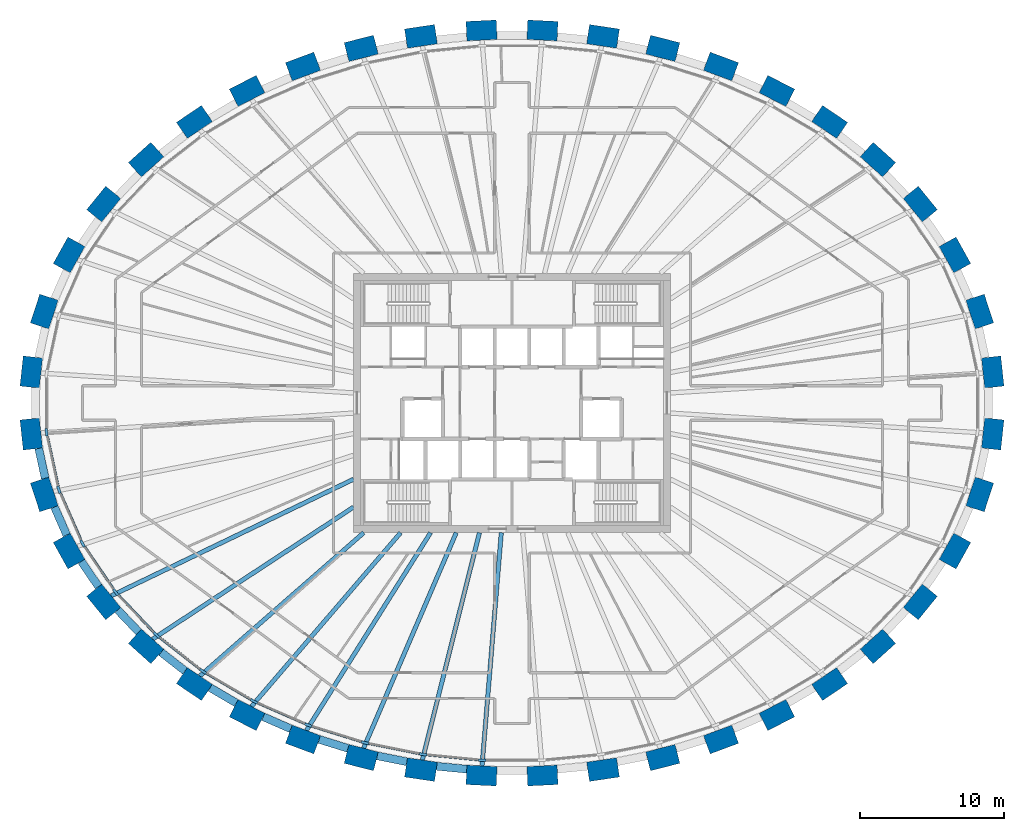
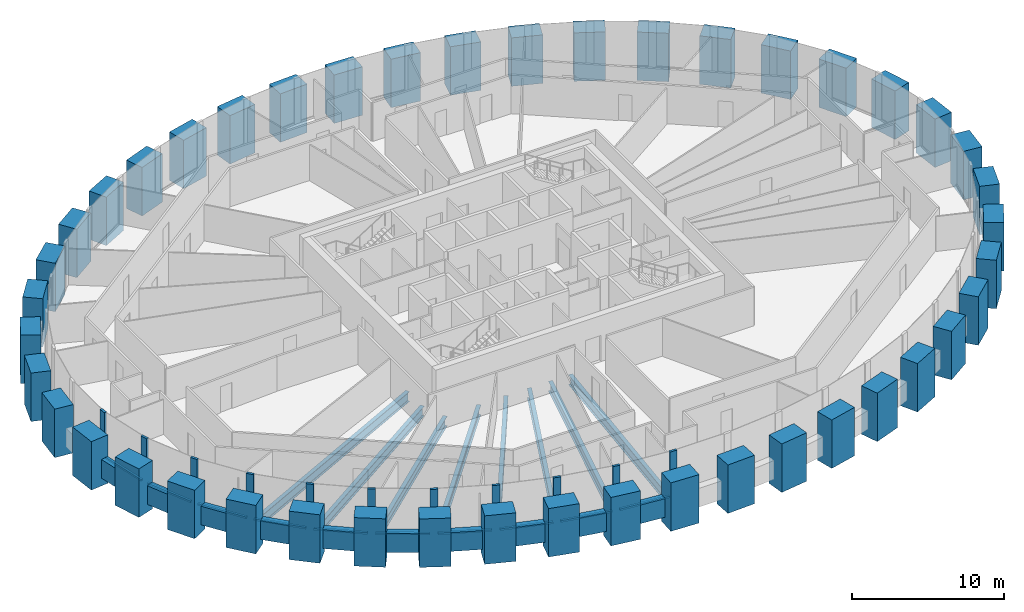
# One storey, part 1 of 12: 44 columns, 21 members, 18 beams, 1 element without a shape of its own.
"""IFC4 building model written with IfcOpenShell, lengths in metres."""

from ifc_helpers import new_model, si_unit, direction, frame, origin, origin_2d, place, context, subcontext, project, spatial, rectangle, i_section, extrude, source, transform, mapped, material, material_profile, profile_set, type_object, element, aggregate, save


model = new_model("IFC4")

# Units and contexts
model_context = context("Model", 3, precision=1e-05, world=origin(), true_north=direction((0.0, 1.0)))
body_context = subcontext(model_context, "Body", "Model", "MODEL_VIEW")
ifc_project = project(units=[si_unit("LENGTHUNIT", "METRE"), si_unit("AREAUNIT", "SQUARE_METRE"), si_unit("VOLUMEUNIT", "CUBIC_METRE"), si_unit("PLANEANGLEUNIT", "RADIAN"), si_unit("MASSUNIT", "GRAM", prefix="KILO")], contexts=[model_context])

# Site, building, storey
site_placement = place(None, origin())
site = spatial("IfcSite", under=ifc_project, at=site_placement, CompositionType="ELEMENT")
building_placement = place(site_placement, origin())
building = spatial("IfcBuilding", under=site, at=building_placement, Name="Embergate Tower", CompositionType="ELEMENT")
storey_placement = place(building_placement, frame((0.0, 0.0, 246.10009765625)))
storey = spatial("IfcBuildingStorey", under=building, at=storey_placement, Name="L56", CompositionType="ELEMENT", Elevation=246.10009765625)

# Columns
ifc_material_1 = material(Name="Concrete C60", Category="concrete")
ifc_material_profile_1 = material_profile(ifc_material_1, rectangle(XDim=1.35009765625, YDim=2.10009765625, at=origin_2d()), Name="RC 1350x2100")
ifc_profile_set_1 = profile_set([ifc_material_profile_1], Name="Concrete C60")
column_type = type_object("IfcColumnType", Name="Ring column RC 1350x2100 C60", PredefinedType="COLUMN", material=ifc_profile_set_1)
shared_shape_1 = source(origin(), body_context, "Body", "SweptSolid", [
    extrude(rectangle(XDim=1.35009765625, YDim=2.10009765625, at=origin_2d()), origin(), (0.0, 0.0, 1.0), 3.900146484375),
])
for number, where, z_axis, x_axis, name in (
    (1, (33.364013671875, 2.14892578125, -1.400146484375), (0.0, 0.0, 1.0), (0.99428589498, 0.106749983816, 0.0), "COL-L56-00"),
    (2, (32.4609375, 6.346923828125, -1.400146484375), (0.0, 0.0, 1.0), (0.950754033697, 0.309946394413, 0.0), "COL-L56-01"),
    (3, (30.739990234375, 10.27197265625, -1.400146484375), (0.0, 0.0, 1.0), (0.873500465855, 0.486823311018, 0.0), "COL-L56-02"),
    (4, (28.3369140625, 13.805908203125, -1.400146484375), (0.0, 0.0, 1.0), (0.775925311702, 0.630824786022, 0.0), "COL-L56-03"),
    (5, (25.39501953125, 16.889892578125, -1.400146484375), (0.0, 0.0, 1.0), (0.669208424634, 0.74307475021, 0.0), "COL-L56-04"),
    (6, (22.0439453125, 19.506103515625, -1.400146484375), (0.0, 0.0, 1.0), (0.560393279442, 0.828226643109, 0.0), "COL-L56-05"),
    (7, (18.385986328125, 21.656982421875, -1.400146484375), (0.0, 0.0, 1.0), (0.453010512651, 0.891505174089, 0.0), "COL-L56-06"),
    (8, (14.5048828125, 23.35400390625, -1.400146484375), (0.0, 0.0, 1.0), (0.348343015724, 0.93736713373, 0.0), "COL-L56-07"),
    (9, (10.465087890625, 24.612060546875, -1.400146484375), (0.0, 0.0, 1.0), (0.24650851817, 0.969140624713, 0.0), "COL-L56-08"),
    (10, (6.319091796875, 25.444091796875, -1.400146484375), (0.0, 0.0, 1.0), (0.146929011949, 0.989147039346, 0.0), "COL-L56-09"),
    (11, (2.113037109375, 25.85693359375, -1.400146484375), (0.0, 0.0, 1.0), (0.048814904854, 0.998807841912, 0.0), "COL-L56-10"),
    (12, (-2.113037109375, 25.85693359375, -1.400146484375), (0.0, 0.0, 1.0), (-0.048814904854, 0.998807841912, 0.0), "COL-L56-11"),
    (13, (-6.319091796875, 25.444091796875, -1.400146484375), (0.0, 0.0, 1.0), (-0.146929011949, 0.989147039346, 0.0), "COL-L56-12"),
    (14, (-10.465087890625, 24.612060546875, -1.400146484375), (0.0, 0.0, 1.0), (-0.24650851817, 0.969140624713, 0.0), "COL-L56-13"),
    (15, (-14.5048828125, 23.35400390625, -1.400146484375), (0.0, 0.0, 1.0), (-0.348343015724, 0.93736713373, 0.0), "COL-L56-14"),
    (16, (-18.385986328125, 21.656982421875, -1.400146484375), (0.0, 0.0, 1.0), (-0.453010512651, 0.891505174089, 0.0), "COL-L56-15"),
    (17, (-22.0439453125, 19.506103515625, -1.400146484375), (0.0, 0.0, 1.0), (-0.560393279442, 0.828226643109, 0.0), "COL-L56-16"),
    (18, (-25.39501953125, 16.889892578125, -1.400146484375), (0.0, 0.0, 1.0), (-0.669208424634, 0.74307475021, 0.0), "COL-L56-17"),
    (19, (-28.3369140625, 13.805908203125, -1.400146484375), (0.0, 0.0, 1.0), (-0.775925311702, 0.630824786022, 0.0), "COL-L56-18"),
    (20, (-30.739990234375, 10.27197265625, -1.400146484375), (0.0, 0.0, 1.0), (-0.873500465855, 0.486823311018, 0.0), "COL-L56-19"),
    (21, (-32.4609375, 6.346923828125, -1.400146484375), (0.0, 0.0, 1.0), (-0.950754033697, 0.309946394413, 0.0), "COL-L56-20"),
    (22, (-33.364013671875, 2.14892578125, -1.400146484375), (0.0, 0.0, 1.0), (-0.99428589498, 0.106749983816, 0.0), "COL-L56-21"),
    (23, (-33.364013671875, -2.14892578125, -1.400146484375), (0.0, 0.0, 1.0), (-0.99428589498, -0.106749983816, 0.0), "COL-L56-22"),
    (24, (-32.4609375, -6.346923828125, -1.400146484375), (0.0, 0.0, 1.0), (-0.950754033697, -0.309946394413, 0.0), "COL-L56-23"),
    (25, (-30.739990234375, -10.27197265625, -1.400146484375), (0.0, 0.0, 1.0), (-0.873500465855, -0.486823311018, 0.0), "COL-L56-24"),
    (26, (-28.3369140625, -13.805908203125, -1.400146484375), (0.0, 0.0, 1.0), (-0.775925311702, -0.630824786022, 0.0), "COL-L56-25"),
    (27, (-25.39501953125, -16.889892578125, -1.400146484375), (0.0, 0.0, 1.0), (-0.669208424634, -0.74307475021, 0.0), "COL-L56-26"),
    (28, (-22.0439453125, -19.506103515625, -1.400146484375), (0.0, 0.0, 1.0), (-0.560393279442, -0.828226643109, 0.0), "COL-L56-27"),
    (29, (-18.385986328125, -21.656982421875, -1.400146484375), (0.0, 0.0, 1.0), (-0.453010512651, -0.891505174089, 0.0), "COL-L56-28"),
    (30, (-14.5048828125, -23.35400390625, -1.400146484375), (0.0, 0.0, 1.0), (-0.348343015724, -0.93736713373, 0.0), "COL-L56-29"),
    (31, (-10.465087890625, -24.612060546875, -1.400146484375), (0.0, 0.0, 1.0), (-0.24650851817, -0.969140624713, 0.0), "COL-L56-30"),
    (32, (-6.319091796875, -25.444091796875, -1.400146484375), (0.0, 0.0, 1.0), (-0.146929011949, -0.989147039346, 0.0), "COL-L56-31"),
    (33, (-2.113037109375, -25.85693359375, -1.400146484375), (0.0, 0.0, 1.0), (-0.048814904854, -0.998807841912, 0.0), "COL-L56-32"),
    (34, (2.113037109375, -25.85693359375, -1.400146484375), (0.0, 0.0, 1.0), (0.048814904854, -0.998807841912, 0.0), "COL-L56-33"),
    (35, (6.319091796875, -25.444091796875, -1.400146484375), (0.0, 0.0, 1.0), (0.146929011949, -0.989147039346, 0.0), "COL-L56-34"),
    (36, (10.465087890625, -24.612060546875, -1.400146484375), (0.0, 0.0, 1.0), (0.24650851817, -0.969140624713, 0.0), "COL-L56-35"),
    (37, (14.5048828125, -23.35400390625, -1.400146484375), (0.0, 0.0, 1.0), (0.348343015724, -0.93736713373, 0.0), "COL-L56-36"),
    (38, (18.385986328125, -21.656982421875, -1.400146484375), (0.0, 0.0, 1.0), (0.453010512651, -0.891505174089, 0.0), "COL-L56-37"),
    (39, (22.0439453125, -19.506103515625, -1.400146484375), (0.0, 0.0, 1.0), (0.560393279442, -0.828226643109, 0.0), "COL-L56-38"),
    (40, (25.39501953125, -16.889892578125, -1.400146484375), (0.0, 0.0, 1.0), (0.669208424634, -0.74307475021, 0.0), "COL-L56-39"),
    (41, (28.3369140625, -13.805908203125, -1.400146484375), (0.0, 0.0, 1.0), (0.775925311702, -0.630824786022, 0.0), "COL-L56-40"),
    (42, (30.739990234375, -10.27197265625, -1.400146484375), (0.0, 0.0, 1.0), (0.873500465855, -0.486823311018, 0.0), "COL-L56-41"),
    (43, (32.4609375, -6.346923828125, -1.400146484375), (0.0, 0.0, 1.0), (0.950754033697, -0.309946394413, 0.0), "COL-L56-42"),
    (44, (33.364013671875, -2.14892578125, -1.400146484375), (0.0, 0.0, 1.0), (0.99428589498, -0.106749983816, 0.0), "COL-L56-43"),
):
    element("IfcColumn", number, at=place(storey_placement, frame(where, z_axis=z_axis, x_axis=x_axis)), inside=storey, type_object=column_type, Name=name, PredefinedType="COLUMN", context=body_context, shape_type="MappedRepresentation", body=[
        mapped(shared_shape_1, transform((0.0, 0.0, 0.0))),
    ])

# Beams
ifc_material_profile_2 = material_profile(ifc_material_1, rectangle(XDim=0.550048828125, YDim=1.5, at=origin_2d()), Name="RC 550x1500")
ifc_profile_set_2 = profile_set([ifc_material_profile_2], Name="Concrete C60")
beam_type_1 = type_object("IfcBeamType", Name="Spandrel beam RC 550x1500 C60", PredefinedType="BEAM", material=ifc_profile_set_2)
shared_shape_2 = source(origin(), body_context, "Body", "SweptSolid", [
    extrude(rectangle(XDim=0.550048828125, YDim=1.5, at=origin_2d()), origin(), (0.0, 0.0, 1.0), 2.121337890625),
])
beam_1_placement = place(storey_placement, frame((-32.845947265625, -3.14892578125, 0.0), z_axis=(0.210259959119, -0.977645513257, 0.0), x_axis=(0.977645513257, 0.210259959119, 0.0)))
element("IfcBeam", 45, at=beam_1_placement, inside=storey, type_object=beam_type_1, Name="SPN-L56-22", PredefinedType="BEAM", context=body_context, shape_type="MappedRepresentation", body=[
    mapped(shared_shape_2, transform((0.0, 0.0, 0.0))),
])
shared_shape_3 = source(origin(), body_context, "Body", "SweptSolid", [
    extrude(rectangle(XDim=0.550048828125, YDim=1.5, at=origin_2d()), origin(), (0.0, 0.0, 1.0), 2.118408203125),
])
beam_2_placement = place(storey_placement, frame((-31.75390625, -7.220947265625, 0.0), z_axis=(0.401653016285, -0.915791927519, 0.0), x_axis=(0.915791927519, 0.401653016285, 0.0)))
element("IfcBeam", 46, at=beam_2_placement, inside=storey, type_object=beam_type_1, Name="SPN-L56-23", PredefinedType="BEAM", context=body_context, shape_type="MappedRepresentation", body=[
    mapped(shared_shape_3, transform((0.0, 0.0, 0.0))),
])
shared_shape_4 = source(origin(), body_context, "Body", "SweptSolid", [
    extrude(rectangle(XDim=0.550048828125, YDim=1.5, at=origin_2d()), origin(), (0.0, 0.0, 1.0), 2.113525390625),
])
beam_3_placement = place(storey_placement, frame((-29.885986328125, -10.998046875, 0.0), z_axis=(0.562088832066, -0.827076867569, 0.0), x_axis=(0.827076867569, 0.562088832066, 0.0)))
element("IfcBeam", 47, at=beam_3_placement, inside=storey, type_object=beam_type_1, Name="SPN-L56-24", PredefinedType="BEAM", context=body_context, shape_type="MappedRepresentation", body=[
    mapped(shared_shape_4, transform((0.0, 0.0, 0.0))),
])
shared_shape_5 = source(origin(), body_context, "Body", "SweptSolid", [
    extrude(rectangle(XDim=0.550048828125, YDim=1.5, at=origin_2d()), origin(), (0.0, 0.0, 1.0), 2.1064453125),
])
beam_4_placement = place(storey_placement, frame((-27.362060546875, -14.366943359375, 0.0), z_axis=(0.690280012813, -0.723542330421, 0.0), x_axis=(0.723542330421, 0.690280012813, 0.0)))
element("IfcBeam", 48, at=beam_4_placement, inside=storey, type_object=beam_type_1, Name="SPN-L56-25", PredefinedType="BEAM", context=body_context, shape_type="MappedRepresentation", body=[
    mapped(shared_shape_5, transform((0.0, 0.0, 0.0))),
])
shared_shape_6 = source(origin(), body_context, "Body", "SweptSolid", [
    extrude(rectangle(XDim=0.550048828125, YDim=1.5, at=origin_2d()), origin(), (0.0, 0.0, 1.0), 2.101806640625),
])
beam_5_placement = place(storey_placement, frame((-24.35205078125, -17.301025390625, 0.0), z_axis=(0.78838173926, -0.615186340227, 0.0), x_axis=(0.615186340227, 0.78838173926, 0.0)))
element("IfcBeam", 49, at=beam_5_placement, inside=storey, type_object=beam_type_1, Name="SPN-L56-26", PredefinedType="BEAM", context=body_context, shape_type="MappedRepresentation", body=[
    mapped(shared_shape_6, transform((0.0, 0.0, 0.0))),
])
shared_shape_7 = source(origin(), body_context, "Body", "SweptSolid", [
    extrude(rectangle(XDim=0.550048828125, YDim=1.5, at=origin_2d()), origin(), (0.0, 0.0, 1.0), 2.097412109375),
])
beam_6_placement = place(storey_placement, frame((-20.947021484375, -19.758056640625, 0.0), z_axis=(0.862059864985, -0.506806461267, 0.0), x_axis=(0.506806461267, 0.862059864985, 0.0)))
element("IfcBeam", 50, at=beam_6_placement, inside=storey, type_object=beam_type_1, Name="SPN-L56-27", PredefinedType="BEAM", context=body_context, shape_type="MappedRepresentation", body=[
    mapped(shared_shape_7, transform((0.0, 0.0, 0.0))),
])
shared_shape_8 = source(origin(), body_context, "Body", "SweptSolid", [
    extrude(rectangle(XDim=0.550048828125, YDim=1.5, at=origin_2d()), origin(), (0.0, 0.0, 1.0), 2.093994140625),
])
beam_7_placement = place(storey_placement, frame((-17.26904296875, -21.77587890625, 0.0), z_axis=(0.916403340616, -0.400256064674, 0.0), x_axis=(0.400256064674, 0.916403340616, 0.0)))
element("IfcBeam", 51, at=beam_7_placement, inside=storey, type_object=beam_type_1, Name="SPN-L56-28", PredefinedType="BEAM", context=body_context, shape_type="MappedRepresentation", body=[
    mapped(shared_shape_8, transform((0.0, 0.0, 0.0))),
])
shared_shape_9 = source(origin(), body_context, "Body", "SweptSolid", [
    extrude(rectangle(XDim=0.550048828125, YDim=1.5, at=origin_2d()), origin(), (0.0, 0.0, 1.0), 2.092529296875),
])
beam_8_placement = place(storey_placement, frame((-13.383056640625, -23.347900390625, 0.0), z_axis=(0.954794982035, -0.297265104378, 0.0), x_axis=(0.297265104378, 0.954794982035, 0.0)))
element("IfcBeam", 52, at=beam_8_placement, inside=storey, type_object=beam_type_1, Name="SPN-L56-29", PredefinedType="BEAM", context=body_context, shape_type="MappedRepresentation", body=[
    mapped(shared_shape_9, transform((0.0, 0.0, 0.0))),
])
shared_shape_10 = source(origin(), body_context, "Body", "SweptSolid", [
    extrude(rectangle(XDim=0.550048828125, YDim=1.5, at=origin_2d()), origin(), (0.0, 0.0, 1.0), 2.0908203125),
])
beam_9_placement = place(storey_placement, frame((-9.35009765625, -24.489990234375, 0.0), z_axis=(0.980499753095, -0.196520314929, 0.0), x_axis=(0.196520314929, 0.980499753095, 0.0)))
element("IfcBeam", 53, at=beam_9_placement, inside=storey, type_object=beam_type_1, Name="SPN-L56-30", PredefinedType="BEAM", context=body_context, shape_type="MappedRepresentation", body=[
    mapped(shared_shape_10, transform((0.0, 0.0, 0.0))),
])
shared_shape_11 = source(origin(), body_context, "Body", "SweptSolid", [
    extrude(rectangle(XDim=0.550048828125, YDim=1.5, at=origin_2d()), origin(), (0.0, 0.0, 1.0), 2.08984375),
])
beam_10_placement = place(storey_placement, frame((-5.222900390625, -25.2109375, 0.0), z_axis=(0.995219400888, -0.097664446431, 0.0), x_axis=(0.097664446431, 0.995219400888, 0.0)))
element("IfcBeam", 54, at=beam_10_placement, inside=storey, type_object=beam_type_1, Name="SPN-L56-31", PredefinedType="BEAM", context=body_context, shape_type="MappedRepresentation", body=[
    mapped(shared_shape_11, transform((0.0, 0.0, 0.0))),
])
ifc_material_2 = material(Name="Steel Q355B", Category="steel")
ifc_material_profile_3 = material_profile(ifc_material_2, i_section(OverallWidth=0.300048828125, OverallDepth=0.800048828125, WebThickness=0.013916015625, FlangeThickness=0.02587890625, FilletRadius=0.028076171875, at=origin_2d()), Name="HN 800x300x14x26")
ifc_profile_set_3 = profile_set([ifc_material_profile_3], Name="Steel Q355 grade B")
beam_type_2 = type_object("IfcBeamType", Name="Radial girder HN 800x300x14x26", PredefinedType="BEAM", material=ifc_profile_set_3)
shared_shape_12 = source(origin(), body_context, "Body", "SweptSolid", [
    extrude(i_section(OverallWidth=0.300048828125, OverallDepth=0.800048828125, WebThickness=0.013916015625, FlangeThickness=0.02587890625, FilletRadius=0.028076171875, at=origin_2d()), origin(), (0.0, 0.0, 1.0), 18.6572265625),
])
beam_11_placement = place(storey_placement, frame((-27.81298828125, -13.3798828125, -0.60009765625), z_axis=(0.901153541631, 0.433500051218, 0.0), x_axis=(-0.433500051218, 0.901153541631, 0.0)))
element("IfcBeam", 55, at=beam_11_placement, inside=storey, type_object=beam_type_2, Name="GIR-L56-25", PredefinedType="BEAM", context=body_context, shape_type="MappedRepresentation", body=[
    mapped(shared_shape_12, transform((0.0, 0.0, 0.0))),
])
shared_shape_13 = source(origin(), body_context, "Body", "SweptSolid", [
    extrude(i_section(OverallWidth=0.300048828125, OverallDepth=0.800048828125, WebThickness=0.013916015625, FlangeThickness=0.02587890625, FilletRadius=0.028076171875, at=origin_2d()), origin(), (0.0, 0.0, 1.0), 16.683349609375),
])
beam_12_placement = place(storey_placement, frame((-24.943115234375, -16.387939453125, -0.60009765625), z_axis=(0.835753065735, 0.549105466295, 0.0), x_axis=(-0.549105466295, 0.835753065735, 0.0)))
element("IfcBeam", 56, at=beam_12_placement, inside=storey, type_object=beam_type_2, Name="GIR-L56-26", PredefinedType="BEAM", context=body_context, shape_type="MappedRepresentation", body=[
    mapped(shared_shape_13, transform((0.0, 0.0, 0.0))),
])
shared_shape_14 = source(origin(), body_context, "Body", "SweptSolid", [
    extrude(i_section(OverallWidth=0.300048828125, OverallDepth=0.800048828125, WebThickness=0.013916015625, FlangeThickness=0.02587890625, FilletRadius=0.028076171875, at=origin_2d()), origin(), (0.0, 0.0, 1.0), 15.11083984375),
])
beam_13_placement = place(storey_placement, frame((-21.666015625, -18.947021484375, -0.60009765625), z_axis=(0.752776832469, 0.658275808836, 0.0), x_axis=(-0.658275808836, 0.752776832469, 0.0)))
element("IfcBeam", 57, at=beam_13_placement, inside=storey, type_object=beam_type_2, Name="GIR-L56-27", PredefinedType="BEAM", context=body_context, shape_type="MappedRepresentation", body=[
    mapped(shared_shape_14, transform((0.0, 0.0, 0.0))),
])
shared_shape_15 = source(origin(), body_context, "Body", "SweptSolid", [
    extrude(i_section(OverallWidth=0.300048828125, OverallDepth=0.800048828125, WebThickness=0.013916015625, FlangeThickness=0.02587890625, FilletRadius=0.028076171875, at=origin_2d()), origin(), (0.0, 0.0, 1.0), 15.889892578125),
])
beam_14_placement = place(storey_placement, frame((-18.080078125, -21.054931640625, -0.60009765625), z_axis=(0.651489554498, 0.75865760418, 0.0), x_axis=(-0.75865760418, 0.651489554498, 0.0)))
element("IfcBeam", 58, at=beam_14_placement, inside=storey, type_object=beam_type_2, Name="GIR-L56-28", PredefinedType="BEAM", context=body_context, shape_type="MappedRepresentation", body=[
    mapped(shared_shape_15, transform((0.0, 0.0, 0.0))),
])
shared_shape_16 = source(origin(), body_context, "Body", "SweptSolid", [
    extrude(i_section(OverallWidth=0.300048828125, OverallDepth=0.800048828125, WebThickness=0.013916015625, FlangeThickness=0.02587890625, FilletRadius=0.028076171875, at=origin_2d()), origin(), (0.0, 0.0, 1.0), 16.202880859375),
])
beam_15_placement = place(storey_placement, frame((-14.27001953125, -22.720947265625, -0.60009765625), z_axis=(0.531876197459, 0.84682212452, 0.0), x_axis=(-0.84682212452, 0.531876197459, 0.0)))
element("IfcBeam", 59, at=beam_15_placement, inside=storey, type_object=beam_type_2, Name="GIR-L56-29", PredefinedType="BEAM", context=body_context, shape_type="MappedRepresentation", body=[
    mapped(shared_shape_16, transform((0.0, 0.0, 0.0))),
])
shared_shape_17 = source(origin(), body_context, "Body", "SweptSolid", [
    extrude(i_section(OverallWidth=0.300048828125, OverallDepth=0.800048828125, WebThickness=0.013916015625, FlangeThickness=0.02587890625, FilletRadius=0.028076171875, at=origin_2d()), origin(), (0.0, 0.0, 1.0), 16.281494140625),
])
beam_16_placement = place(storey_placement, frame((-10.299072265625, -23.9580078125, -0.60009765625), z_axis=(0.394936126448, 0.918708580577, 0.0), x_axis=(-0.918708580577, 0.394936126448, 0.0)))
element("IfcBeam", 60, at=beam_16_placement, inside=storey, type_object=beam_type_2, Name="GIR-L56-30", PredefinedType="BEAM", context=body_context, shape_type="MappedRepresentation", body=[
    mapped(shared_shape_17, transform((0.0, 0.0, 0.0))),
])
shared_shape_18 = source(origin(), body_context, "Body", "SweptSolid", [
    extrude(i_section(OverallWidth=0.300048828125, OverallDepth=0.800048828125, WebThickness=0.013916015625, FlangeThickness=0.02587890625, FilletRadius=0.028076171875, at=origin_2d()), origin(), (0.0, 0.0, 1.0), 16.265625),
])
beam_17_placement = place(storey_placement, frame((-6.219970703125, -24.77587890625, -0.60009765625), z_axis=(0.243517311552, 0.969896550656, 0.0), x_axis=(-0.969896550656, 0.243517311552, 0.0)))
element("IfcBeam", 61, at=beam_17_placement, inside=storey, type_object=beam_type_2, Name="GIR-L56-31", PredefinedType="BEAM", context=body_context, shape_type="MappedRepresentation", body=[
    mapped(shared_shape_18, transform((0.0, 0.0, 0.0))),
])
shared_shape_19 = source(origin(), body_context, "Body", "SweptSolid", [
    extrude(i_section(OverallWidth=0.300048828125, OverallDepth=0.800048828125, WebThickness=0.013916015625, FlangeThickness=0.02587890625, FilletRadius=0.028076171875, at=origin_2d()), origin(), (0.0, 0.0, 1.0), 16.23828125),
])
beam_18_placement = place(storey_placement, frame((-2.080078125, -25.18310546875, -0.60009765625), z_axis=(0.082346180741, 0.996603786124, 0.0), x_axis=(-0.996603786124, 0.082346180741, 0.0)))
element("IfcBeam", 62, at=beam_18_placement, inside=storey, type_object=beam_type_2, Name="GIR-L56-32", PredefinedType="BEAM", context=body_context, shape_type="MappedRepresentation", body=[
    mapped(shared_shape_19, transform((0.0, 0.0, 0.0))),
])

# Curtain wall, members
ifc_material_3 = material(Name="Aluminium and glass", Category="aluminium")
curtain_wall_type = type_object("IfcCurtainWallType", Name="Recessed office glazing", PredefinedType="NOTDEFINED", material=ifc_material_3)
curtain_wall_placement = place(storey_placement, origin())
curtain_wall = element("IfcCurtainWall", 63, at=curtain_wall_placement, inside=storey, type_object=curtain_wall_type, Name="Recessed office glazing ring", ObjectType="RECESSED OFFICE GLAZING", PredefinedType="USERDEFINED")
ifc_material_4 = material(Name="Aluminium, thermally broken", Category="aluminium")
ifc_material_profile_4 = material_profile(ifc_material_4, rectangle(XDim=0.179931640625, YDim=0.52001953125, at=origin_2d()), Name="AL 520x180")
ifc_profile_set_4 = profile_set([ifc_material_profile_4], Name="Aluminium, thermally broken")
member_type_1 = type_object("IfcMemberType", Name="Office mullion", PredefinedType="MULLION", material=ifc_profile_set_4)
shared_shape_20 = source(origin(), body_context, "Body", "SweptSolid", [
    extrude(rectangle(XDim=0.179931640625, YDim=0.52001953125, at=origin_2d()), origin(), (0.0, 0.0, 1.0), 3.699951171875),
])
member_1_placement = place(storey_placement, frame((-32.304931640625, -2.03515625, 0.0), z_axis=(0.0, 0.0, 1.0), x_axis=(0.994384585337, 0.105826728403, 0.0)))
member_1 = element("IfcMember", 64, at=member_1_placement, type_object=member_type_1, Name="CW mullion 23", PredefinedType="MULLION", context=body_context, shape_type="MappedRepresentation", body=[
    mapped(shared_shape_20, transform((0.0, 0.0, 0.0))),
])
member_2_placement = place(storey_placement, frame((-31.447998046875, -6.01708984375, 0.0), z_axis=(0.0, 0.0, 1.0), x_axis=(0.951495650128, 0.307662197527, 0.0)))
member_2 = element("IfcMember", 65, at=member_2_placement, type_object=member_type_1, Name="CW mullion 24", PredefinedType="MULLION", context=body_context, shape_type="MappedRepresentation", body=[
    mapped(shared_shape_20, transform((0.0, 0.0, 0.0))),
])
member_3_placement = place(storey_placement, frame((-29.809326171875, -9.753173828125, 0.0), z_axis=(0.0, 0.0, 1.0), x_axis=(0.874997671059, 0.484127127562, 0.0)))
member_3 = element("IfcMember", 66, at=member_3_placement, type_object=member_type_1, Name="CW mullion 25", PredefinedType="MULLION", context=body_context, shape_type="MappedRepresentation", body=[
    mapped(shared_shape_20, transform((0.0, 0.0, 0.0))),
])
member_4_placement = place(storey_placement, frame((-27.51025390625, -13.134033203125, 0.0), z_axis=(0.0, 0.0, 1.0), x_axis=(0.777868177123, 0.628427481114, 0.0)))
member_4 = element("IfcMember", 67, at=member_4_placement, type_object=member_type_1, Name="CW mullion 26", PredefinedType="MULLION", context=body_context, shape_type="MappedRepresentation", body=[
    mapped(shared_shape_20, transform((0.0, 0.0, 0.0))),
])
member_5_placement = place(storey_placement, frame((-24.682861328125, -16.098876953125, 0.0), z_axis=(0.0, 0.0, 1.0), x_axis=(0.671223946494, 0.741254621337, 0.0)))
member_5 = element("IfcMember", 68, at=member_5_placement, type_object=member_type_1, Name="CW mullion 27", PredefinedType="MULLION", context=body_context, shape_type="MappedRepresentation", body=[
    mapped(shared_shape_20, transform((0.0, 0.0, 0.0))),
])
member_6_placement = place(storey_placement, frame((-21.447265625, -18.624267578125, 0.0), z_axis=(0.0, 0.0, 1.0), x_axis=(0.562214731803, 0.826991290972, 0.0)))
member_6 = element("IfcMember", 69, at=member_6_placement, type_object=member_type_1, Name="CW mullion 28", PredefinedType="MULLION", context=body_context, shape_type="MappedRepresentation", body=[
    mapped(shared_shape_20, transform((0.0, 0.0, 0.0))),
])
member_7_placement = place(storey_placement, frame((-17.904052734375, -20.707275390625, 0.0), z_axis=(0.0, 0.0, 1.0), x_axis=(0.454509825889, 0.890741723605, 0.0)))
member_7 = element("IfcMember", 70, at=member_7_placement, type_object=member_type_1, Name="CW mullion 29", PredefinedType="MULLION", context=body_context, shape_type="MappedRepresentation", body=[
    mapped(shared_shape_20, transform((0.0, 0.0, 0.0))),
])
member_8_placement = place(storey_placement, frame((-14.1337890625, -22.35595703125, 0.0), z_axis=(0.0, 0.0, 1.0), x_axis=(0.349502682851, 0.936935363128, 0.0)))
member_8 = element("IfcMember", 71, at=member_8_placement, type_object=member_type_1, Name="CW mullion 30", PredefinedType="MULLION", context=body_context, shape_type="MappedRepresentation", body=[
    mapped(shared_shape_20, transform((0.0, 0.0, 0.0))),
])
member_9_placement = place(storey_placement, frame((-10.2021484375, -23.580322265625, 0.0), z_axis=(0.0, 0.0, 1.0), x_axis=(0.24731188137, 0.968935928394, 0.0)))
member_9 = element("IfcMember", 72, at=member_9_placement, type_object=member_type_1, Name="CW mullion 31", PredefinedType="MULLION", context=body_context, shape_type="MappedRepresentation", body=[
    mapped(shared_shape_20, transform((0.0, 0.0, 0.0))),
])
member_10_placement = place(storey_placement, frame((-6.16259765625, -24.390380859375, 0.0), z_axis=(0.0, 0.0, 1.0), x_axis=(0.147412382818, 0.989075118174, 0.0)))
member_10 = element("IfcMember", 73, at=member_10_placement, type_object=member_type_1, Name="CW mullion 32", PredefinedType="MULLION", context=body_context, shape_type="MappedRepresentation", body=[
    mapped(shared_shape_20, transform((0.0, 0.0, 0.0))),
])
member_11_placement = place(storey_placement, frame((-2.060791015625, -24.793701171875, 0.0), z_axis=(0.0, 0.0, 1.0), x_axis=(0.048971796621, 0.998800161762, 0.0)))
member_11 = element("IfcMember", 74, at=member_11_placement, type_object=member_type_1, Name="CW mullion 33", PredefinedType="MULLION", context=body_context, shape_type="MappedRepresentation", body=[
    mapped(shared_shape_20, transform((0.0, 0.0, 0.0))),
])
ifc_material_profile_5 = material_profile(ifc_material_4, rectangle(XDim=0.179931640625, YDim=0.14990234375, at=origin_2d()), Name="AL 150x180")
ifc_profile_set_5 = profile_set([ifc_material_profile_5], Name="Aluminium, thermally broken")
member_type_2 = type_object("IfcMemberType", Name="Office sill transom", PredefinedType="USERDEFINED", material=ifc_profile_set_5)
shared_shape_21 = source(origin(), body_context, "Body", "SweptSolid", [
    extrude(rectangle(XDim=0.179931640625, YDim=0.14990234375, at=origin_2d()), origin(), (0.0, 0.0, 1.0), 3.552978515625),
])
member_12_placement = place(storey_placement, frame((-32.250244140625, -2.289306640625, 0.074951171875), z_axis=(0.210406550267, -0.977613974739, 0.0), x_axis=(0.977613974739, 0.210406550267, 0.0)))
member_12 = element("IfcMember", 75, at=member_12_placement, type_object=member_type_2, Name="CW transom 23.1", ObjectType="TRANSOM", PredefinedType="USERDEFINED", context=body_context, shape_type="MappedRepresentation", body=[
    mapped(shared_shape_21, transform((0.0, 0.0, 0.0))),
])
shared_shape_22 = source(origin(), body_context, "Body", "SweptSolid", [
    extrude(rectangle(XDim=0.179931640625, YDim=0.14990234375, at=origin_2d()), origin(), (0.0, 0.0, 1.0), 3.559814453125),
])
member_13_placement = place(storey_placement, frame((-31.343505859375, -6.255126953125, 0.074951171875), z_axis=(0.401628194201, -0.915802813723, 0.0), x_axis=(0.915802813723, 0.401628194201, 0.0)))
member_13 = element("IfcMember", 76, at=member_13_placement, type_object=member_type_2, Name="CW transom 24.1", ObjectType="TRANSOM", PredefinedType="USERDEFINED", context=body_context, shape_type="MappedRepresentation", body=[
    mapped(shared_shape_22, transform((0.0, 0.0, 0.0))),
])
shared_shape_23 = source(origin(), body_context, "Body", "SweptSolid", [
    extrude(rectangle(XDim=0.179931640625, YDim=0.14990234375, at=origin_2d()), origin(), (0.0, 0.0, 1.0), 3.568359375),
])
member_14_placement = place(storey_placement, frame((-29.6630859375, -9.96826171875, 0.074951171875), z_axis=(0.562334349522, -0.826909958428, 0.0), x_axis=(0.826909958428, 0.562334349522, 0.0)))
member_14 = element("IfcMember", 77, at=member_14_placement, type_object=member_type_2, Name="CW transom 25.1", ObjectType="TRANSOM", PredefinedType="USERDEFINED", context=body_context, shape_type="MappedRepresentation", body=[
    mapped(shared_shape_23, transform((0.0, 0.0, 0.0))),
])
shared_shape_24 = source(origin(), body_context, "Body", "SweptSolid", [
    extrude(rectangle(XDim=0.179931640625, YDim=0.14990234375, at=origin_2d()), origin(), (0.0, 0.0, 1.0), 3.576904296875),
])
member_15_placement = place(storey_placement, frame((-27.330810546875, -13.322265625, 0.074951171875), z_axis=(0.69011690361, -0.72369790614, 0.0), x_axis=(0.72369790614, 0.69011690361, 0.0)))
member_15 = element("IfcMember", 78, at=member_15_placement, type_object=member_type_2, Name="CW transom 26.1", ObjectType="TRANSOM", PredefinedType="USERDEFINED", context=body_context, shape_type="MappedRepresentation", body=[
    mapped(shared_shape_24, transform((0.0, 0.0, 0.0))),
])
shared_shape_25 = source(origin(), body_context, "Body", "SweptSolid", [
    extrude(rectangle(XDim=0.179931640625, YDim=0.14990234375, at=origin_2d()), origin(), (0.0, 0.0, 1.0), 3.58447265625),
])
member_16_placement = place(storey_placement, frame((-24.477783203125, -16.2587890625, 0.074951171875), z_axis=(0.788327869744, -0.61525536957, 0.0), x_axis=(0.61525536957, 0.788327869744, 0.0)))
member_16 = element("IfcMember", 79, at=member_16_placement, type_object=member_type_2, Name="CW transom 27.1", ObjectType="TRANSOM", PredefinedType="USERDEFINED", context=body_context, shape_type="MappedRepresentation", body=[
    mapped(shared_shape_25, transform((0.0, 0.0, 0.0))),
])
shared_shape_26 = source(origin(), body_context, "Body", "SweptSolid", [
    extrude(rectangle(XDim=0.179931640625, YDim=0.14990234375, at=origin_2d()), origin(), (0.0, 0.0, 1.0), 3.59033203125),
])
member_17_placement = place(storey_placement, frame((-21.22314453125, -18.756103515625, 0.074951171875), z_axis=(0.862054810365, -0.506815058898, 0.0), x_axis=(0.506815058898, 0.862054810365, 0.0)))
member_17 = element("IfcMember", 80, at=member_17_placement, type_object=member_type_2, Name="CW transom 28.1", ObjectType="TRANSOM", PredefinedType="USERDEFINED", context=body_context, shape_type="MappedRepresentation", body=[
    mapped(shared_shape_26, transform((0.0, 0.0, 0.0))),
])
shared_shape_27 = source(origin(), body_context, "Body", "SweptSolid", [
    extrude(rectangle(XDim=0.179931640625, YDim=0.14990234375, at=origin_2d()), origin(), (0.0, 0.0, 1.0), 3.594482421875),
])
member_18_placement = place(storey_placement, frame((-17.665771484375, -20.8115234375, 0.074951171875), z_axis=(0.916229025025, -0.400654930958, 0.0), x_axis=(0.400654930958, 0.916229025025, 0.0)))
member_18 = element("IfcMember", 81, at=member_18_placement, type_object=member_type_2, Name="CW transom 29.1", ObjectType="TRANSOM", PredefinedType="USERDEFINED", context=body_context, shape_type="MappedRepresentation", body=[
    mapped(shared_shape_27, transform((0.0, 0.0, 0.0))),
])
shared_shape_28 = source(origin(), body_context, "Body", "SweptSolid", [
    extrude(rectangle(XDim=0.179931640625, YDim=0.14990234375, at=origin_2d()), origin(), (0.0, 0.0, 1.0), 3.59814453125),
])
member_19_placement = place(storey_placement, frame((-13.8857421875, -22.43310546875, 0.074951171875), z_axis=(0.954772906147, -0.297336001332, 0.0), x_axis=(0.297336001332, 0.954772906147, 0.0)))
member_19 = element("IfcMember", 82, at=member_19_placement, type_object=member_type_2, Name="CW transom 30.1", ObjectType="TRANSOM", PredefinedType="USERDEFINED", context=body_context, shape_type="MappedRepresentation", body=[
    mapped(shared_shape_28, transform((0.0, 0.0, 0.0))),
])
shared_shape_29 = source(origin(), body_context, "Body", "SweptSolid", [
    extrude(rectangle(XDim=0.179931640625, YDim=0.14990234375, at=origin_2d()), origin(), (0.0, 0.0, 1.0), 3.60009765625),
])
member_20_placement = place(storey_placement, frame((-9.947265625, -23.63134765625, 0.074951171875), z_axis=(0.980470975214, -0.196663842033, 0.0), x_axis=(0.196663842033, 0.980470975214, 0.0)))
member_20 = element("IfcMember", 83, at=member_20_placement, type_object=member_type_2, Name="CW transom 31.1", ObjectType="TRANSOM", PredefinedType="USERDEFINED", context=body_context, shape_type="MappedRepresentation", body=[
    mapped(shared_shape_29, transform((0.0, 0.0, 0.0))),
])
shared_shape_30 = source(origin(), body_context, "Body", "SweptSolid", [
    extrude(rectangle(XDim=0.179931640625, YDim=0.14990234375, at=origin_2d()), origin(), (0.0, 0.0, 1.0), 3.6015625),
])
member_21_placement = place(storey_placement, frame((-5.90380859375, -24.416015625, 0.074951171875), z_axis=(0.995204228817, -0.097818929377, 0.0), x_axis=(0.097818929377, 0.995204228817, 0.0)))
member_21 = element("IfcMember", 84, at=member_21_placement, type_object=member_type_2, Name="CW transom 32.1", ObjectType="TRANSOM", PredefinedType="USERDEFINED", context=body_context, shape_type="MappedRepresentation", body=[
    mapped(shared_shape_30, transform((0.0, 0.0, 0.0))),
])
aggregate(curtain_wall, [member_1, member_2, member_3, member_4, member_5, member_6, member_7, member_8, member_9, member_10, member_11, member_12, member_13, member_14, member_15, member_16, member_17, member_18, member_19, member_20, member_21])

save(model, "model.ifc")
